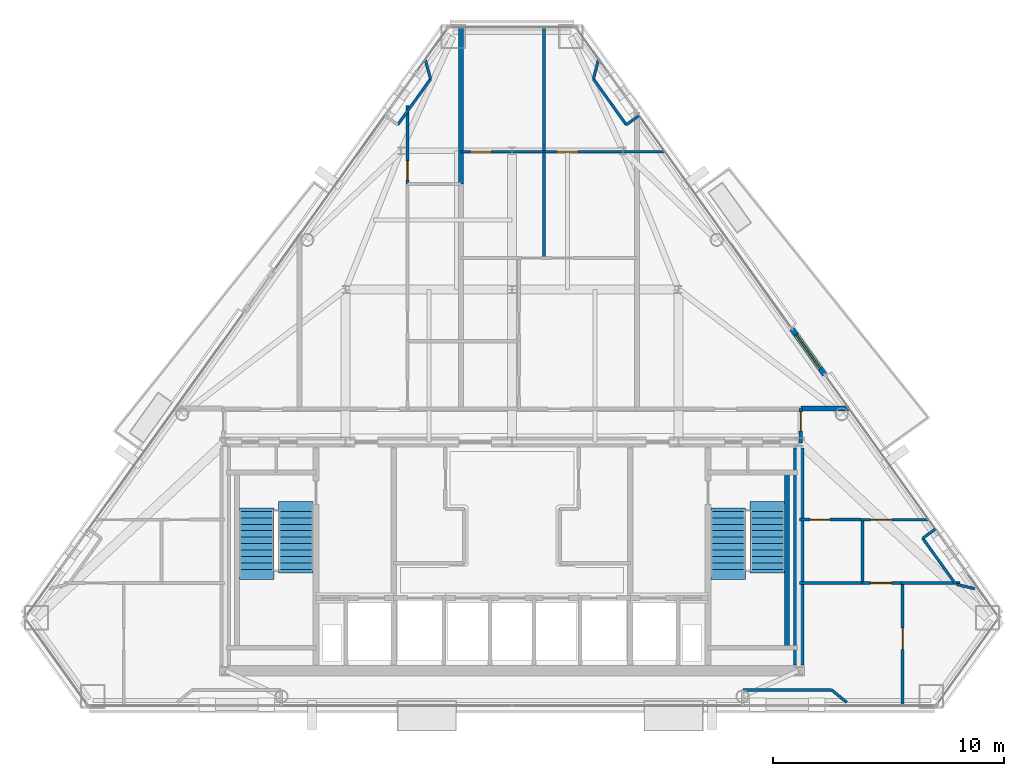
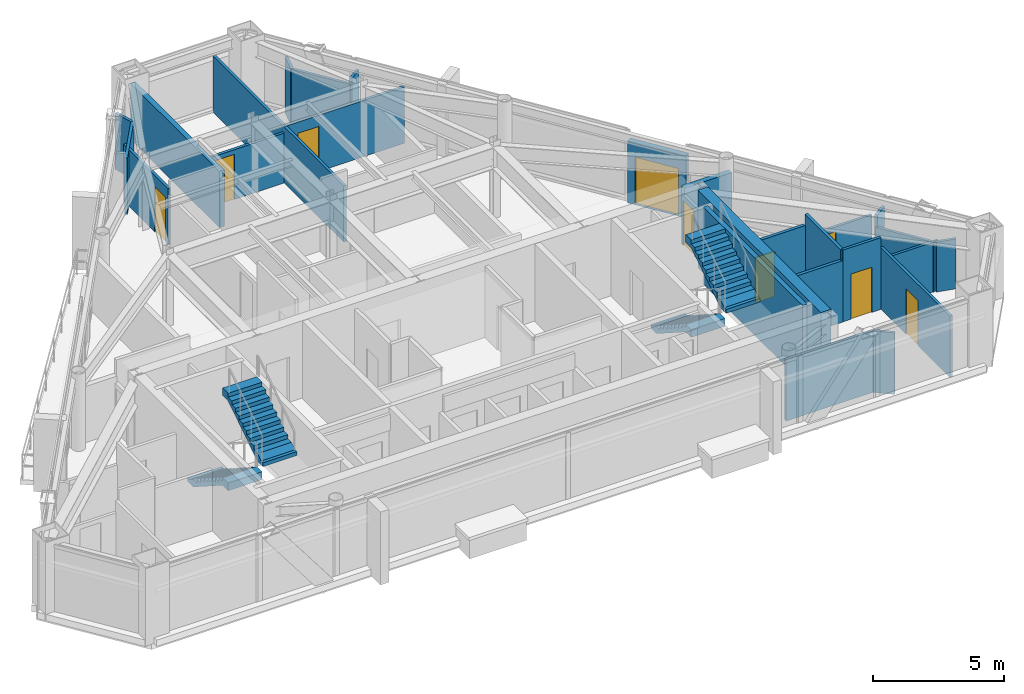
# One storey, part 9 of 11: 27 walls, 9 doors, 4 stair flights, 9 openings, 2 elements without a shape of their own.
"""IFC4 building model written with IfcOpenShell, lengths in metres."""

from ifc_helpers import new_model, si_unit, direction, frame, frame_2d, origin, place, context, subcontext, project, spatial, polyline, rectangle, outline, extrude, material, layer, layer_set, type_object, element, fill, aggregate, save


model = new_model("IFC4")

# Units and contexts
model_context = context("Model", 3, precision=1e-05, world=origin(), true_north=direction((0.0, 1.0)))
body_context = subcontext(model_context, "Body", "Model", "MODEL_VIEW")
ifc_project = project(units=[si_unit("LENGTHUNIT", "METRE"), si_unit("AREAUNIT", "SQUARE_METRE"), si_unit("VOLUMEUNIT", "CUBIC_METRE"), si_unit("PLANEANGLEUNIT", "RADIAN"), si_unit("MASSUNIT", "GRAM", prefix="KILO")], contexts=[model_context])

# Site, building, storey
site_placement = place(None, origin())
site = spatial("IfcSite", under=ifc_project, at=site_placement, CompositionType="ELEMENT")
building_placement = place(site_placement, origin())
building = spatial("IfcBuilding", under=site, at=building_placement, Name="Talgorran Terracotta Tower", CompositionType="ELEMENT")
storey_placement = place(building_placement, frame((0.0, 0.0, 237.0)))
storey = spatial("IfcBuildingStorey", under=building, at=storey_placement, Name="L62", CompositionType="ELEMENT", Elevation=237.0)

# Wall, opening, door
ifc_material_1 = material(Name="Concrete C40/50", Category="concrete")
ifc_layer_1 = layer(ifc_material_1, 0.239990234375, Name="WT_BALCONY_SPAND")
ifc_layer_set_1 = layer_set([ifc_layer_1], Name="Concrete C40/50")
wall_type_1 = type_object("IfcWallType", Name="WT_BALCONY_SPAND", PredefinedType="STANDARD", material=ifc_layer_set_1)
wall_1_placement = place(storey_placement, frame((13.5322265625, -1.28662109375, -0.014892578125), z_axis=(0.0, 0.0, 1.0), x_axis=(-0.582666574714, 0.812711303423, 0.0)))
wall_1 = element("IfcWall", 1, at=wall_1_placement, inside=storey, type_object=wall_type_1, Name="WL-L62-BALP-BAL-NE", PredefinedType="STANDARD", context=body_context, shape_type="SweptSolid", body=[
    extrude(rectangle(XDim=2.43994140625, YDim=0.239990234375, at=frame_2d((1.219970703125, 0.0))), origin(), (0.0, 0.0, 1.0), 2.8779296875),
])
opening_1_placement = place(wall_1_placement, frame((0.320068359375, 0.0, 0.014892578125)))
opening_1 = element("IfcOpeningElement", 2, at=opening_1_placement, cuts=wall_1, Name="Opening D-BAL-L62-1", PredefinedType="OPENING", context=body_context, shape_type="SweptSolid", body=[
    extrude(rectangle(XDim=1.806048828125, YDim=2.203951171875, at=frame_2d((0.89990234375, 1.10205078125))), frame((0.0, 0.1298828125, 0.0), z_axis=(0.0, -1.0, 0.0), x_axis=(1.0, 0.0, 0.0)), (0.0, 0.0, 1.0), 0.260009765625),
])
ifc_material_2 = material(Name="Thermally Broken Aluminium", Category="aluminium")
door_type_1 = type_object("IfcDoorType", Name="DT_BALC_1800", OperationType="SLIDING_TO_LEFT", PredefinedType="DOOR", material=ifc_material_2)
door_1_placement = place(opening_1_placement, origin())
door_1 = element("IfcDoor", 3, at=door_1_placement, inside=storey, type_object=door_type_1, Name="DR-L62-BAL-BAL-NE", OperationType="SLIDING_TO_LEFT", OverallHeight=2.199951171875, OverallWidth=1.800048828125, PredefinedType="DOOR", context=body_context, shape_type="SweptSolid", body=[
    extrude(rectangle(XDim=1.800048828125, YDim=2.199951171875, at=frame_2d((0.89990234375, 1.10009765625))), frame((0.0, 0.02490234375, 0.0), z_axis=(0.0, -1.0, 0.0), x_axis=(1.0, 0.0, 0.0)), (0.0, 0.0, 1.0), 0.050048828125),
])
fill(opening_1, door_1)

# Walls
ifc_material_3 = material(Name="Concrete C50/60", Category="concrete")
ifc_layer_2 = layer(ifc_material_3, 0.199951171875, Name="WT_CORE_200")
ifc_layer_set_2 = layer_set([ifc_layer_2], Name="Concrete C50/60")
wall_type_2 = type_object("IfcWallType", Name="WT_CORE_200", PredefinedType="SOLIDWALL", material=ifc_layer_set_2)
wall_2_placement = place(storey_placement, frame((11.89990234375, -13.10009765625, 0.0), z_axis=(0.0, 0.0, 1.0), x_axis=(0.0, 1.0, 0.0)))
element("IfcWall", 4, at=wall_2_placement, inside=storey, type_object=wall_type_2, Name="WL-L62-CW-ST2-E", PredefinedType="SOLIDWALL", context=body_context, shape_type="SweptSolid", body=[
    extrude(rectangle(XDim=7.580078125, YDim=0.199951171875, at=frame_2d((3.7900390625, 0.0))), origin(), (0.0, 0.0, 1.0), 3.60009765625),
])
ifc_material_4 = material(Name="Concrete C65/80", Category="concrete")
ifc_layer_3 = layer(ifc_material_4, 0.449951171875, Name="WT_CORE_EXT")
ifc_layer_set_3 = layer_set([ifc_layer_3], Name="Concrete C65/80")
wall_type_3 = type_object("IfcWallType", Name="WT_CORE_EXT", PredefinedType="SHEAR", material=ifc_layer_set_3)
wall_3_placement = place(storey_placement, frame((12.39990234375, -13.85009765625, 0.0), z_axis=(0.0, 0.0, 1.0), x_axis=(0.0, 1.0, 0.0)))
element("IfcWall", 5, at=wall_3_placement, inside=storey, type_object=wall_type_3, Name="WL-L62-CW-OUT-E", PredefinedType="SHEAR", context=body_context, shape_type="SweptSolid", body=[
    extrude(rectangle(XDim=9.400146484375, YDim=0.449951171875, at=frame_2d((4.7001953125, 0.0))), origin(), (0.0, 0.0, 1.0), 3.60009765625),
])

# Wall, opening, door
ifc_material_5 = material(Name="Fire-Rated Steel Stud Plasterboard", Category="steel")
ifc_layer_4 = layer(ifc_material_5, 0.14990234375, Name="WT_FIRE_150")
ifc_layer_set_4 = layer_set([ifc_layer_4], Name="Fire-Rated Steel Stud Plasterboard")
wall_type_4 = type_object("IfcWallType", Name="WT_FIRE_150", PredefinedType="PARTITIONING", material=ifc_layer_set_4)
wall_4_placement = place(storey_placement, frame((12.5, -4.239990234375, 0.0), z_axis=(0.0, 0.0, 1.0), x_axis=(0.0, 1.0, 0.0)))
wall_4 = element("IfcWall", 6, at=wall_4_placement, inside=storey, type_object=wall_type_4, Name="WL-L62-W-L62-R02", PredefinedType="PARTITIONING", context=body_context, shape_type="SweptSolid", body=[
    extrude(rectangle(XDim=1.47998046875, YDim=0.14990234375, at=frame_2d((0.739990234375, 0.0))), origin(), (0.0, 0.0, 1.0), 2.320068359375),
])
opening_2_placement = place(wall_4_placement, frame((0.521728515625, 0.0, 0.0)))
opening_2 = element("IfcOpeningElement", 7, at=opening_2_placement, cuts=wall_4, Name="Opening DR-L62-R06", PredefinedType="OPENING", context=body_context, shape_type="SweptSolid", body=[
    extrude(rectangle(XDim=0.826068359375, YDim=2.10409765625, at=frame_2d((0.41015625, 1.052001953125))), frame((0.0, 0.0849609375, 0.0), z_axis=(0.0, -1.0, 0.0), x_axis=(1.0, 0.0, 0.0)), (0.0, 0.0, 1.0), 0.169921875),
])
ifc_material_6 = material(Name="Moisture-Resistant Solid Timber", Category="wood")
door_type_2 = type_object("IfcDoorType", Name="DT_INT_820", OperationType="NOTDEFINED", PredefinedType="DOOR", material=ifc_material_6)
door_2_placement = place(opening_2_placement, origin())
door_2 = element("IfcDoor", 8, at=door_2_placement, inside=storey, type_object=door_type_2, Name="DR-L62-R06", OperationType="SINGLE_SWING_RIGHT", OverallHeight=2.10009765625, OverallWidth=0.820068359375, PredefinedType="DOOR", context=body_context, shape_type="SweptSolid", body=[
    extrude(rectangle(XDim=0.820068359375, YDim=2.10009765625, at=frame_2d((0.41015625, 1.050048828125))), frame((0.0, 0.02490234375, 0.0), z_axis=(0.0, -1.0, 0.0), x_axis=(1.0, 0.0, 0.0)), (0.0, 0.0, 1.0), 0.050048828125),
])
fill(opening_2, door_2)

# Walls
ifc_material_7 = material(Name="Acoustic Masonry and Plasterboard", Category="masonry")
ifc_layer_5 = layer(ifc_material_7, 0.219970703125, Name="WT_PARTY_220")
ifc_layer_set_5 = layer_set([ifc_layer_5], Name="Acoustic Masonry and Plasterboard")
wall_type_5 = type_object("IfcWallType", Name="WT_PARTY_220", PredefinedType="PARTITIONING", material=ifc_layer_set_5)
wall_5_placement = place(storey_placement, frame((-2.199951171875, 6.9599609375, 0.0), z_axis=(0.0, 0.0, 1.0), x_axis=(0.0, 1.0, 0.0)))
element("IfcWall", 9, at=wall_5_placement, inside=storey, type_object=wall_type_5, Name="WL-L62-W-L62-R35", PredefinedType="PARTITIONING", context=body_context, shape_type="SweptSolid", body=[
    extrude(rectangle(XDim=6.78857421875, YDim=0.219970703125, at=frame_2d((3.394287109375, 0.0))), origin(), (0.0, 0.0, 1.0), 2.6201171875),
])
wall_6_placement = place(storey_placement, frame((12.5, -2.760009765625, 0.0), z_axis=(0.0, 0.0, 1.0), x_axis=(1.0, 0.0, 0.0)))
element("IfcWall", 10, at=wall_6_placement, inside=storey, type_object=wall_type_5, Name="WL-L62-W-L62-R19", PredefinedType="PARTITIONING", context=body_context, shape_type="SweptSolid", body=[
    extrude(rectangle(XDim=2.08837890625, YDim=0.219970703125, at=frame_2d((1.044189453125, 0.0))), origin(), (0.0, 0.0, 1.0), 2.6201171875),
])
ifc_material_8 = material(Name="Insulated Steel Stud Plasterboard", Category="steel")
ifc_layer_6 = layer(ifc_material_8, 0.1201171875, Name="WT_PART_120")
ifc_layer_set_6 = layer_set([ifc_layer_6], Name="Insulated Steel Stud Plasterboard")
wall_type_6 = type_object("IfcWallType", Name="WT_PART_120", PredefinedType="PARTITIONING", material=ifc_layer_set_6)
wall_7_placement = place(storey_placement, frame((1.3798828125, 3.760009765625, 0.0), z_axis=(0.0, 0.0, 1.0), x_axis=(0.0, 1.0, 0.0)))
element("IfcWall", 11, at=wall_7_placement, inside=storey, type_object=wall_type_6, Name="WL-L62-W-L62-R45", PredefinedType="PARTITIONING", context=body_context, shape_type="SweptSolid", body=[
    extrude(rectangle(XDim=9.988525390625, YDim=0.1201171875, at=frame_2d((4.994140625, 0.0))), origin(), (0.0, 0.0, 1.0), 2.6201171875),
])

# Wall, opening, door
wall_8_placement = place(storey_placement, frame((16.89990234375, -15.60791015625, 0.0), z_axis=(0.0, 0.0, 1.0), x_axis=(0.0, 1.0, 0.0)))
wall_8 = element("IfcWall", 12, at=wall_8_placement, inside=storey, type_object=wall_type_6, Name="WL-L62-W-L62-R24", PredefinedType="PARTITIONING", context=body_context, shape_type="SweptSolid", body=[
    extrude(rectangle(XDim=5.307861328125, YDim=0.1201171875, at=frame_2d((2.65380859375, 0.0))), origin(), (0.0, 0.0, 1.0), 2.863037109375),
])
opening_3_placement = place(wall_8_placement, frame((2.44189453125, 0.0, 0.0)))
opening_3 = element("IfcOpeningElement", 13, at=opening_3_placement, cuts=wall_8, Name="Opening DR-L62-R10", PredefinedType="OPENING", context=body_context, shape_type="SweptSolid", body=[
    extrude(rectangle(XDim=0.925921875, YDim=2.10409765625, at=frame_2d((0.4599609375, 1.052001953125))), frame((0.0, 0.070068359375, 0.0), z_axis=(0.0, -1.0, 0.0), x_axis=(1.0, 0.0, 0.0)), (0.0, 0.0, 1.0), 0.14013671875),
])
ifc_material_9 = material(Name="Solid-Core Painted Timber", Category="wood")
door_type_3 = type_object("IfcDoorType", Name="DT_INT_920", OperationType="NOTDEFINED", PredefinedType="DOOR", material=ifc_material_9)
door_3_placement = place(opening_3_placement, origin())
door_3 = element("IfcDoor", 14, at=door_3_placement, inside=storey, type_object=door_type_3, Name="DR-L62-R10", OperationType="SINGLE_SWING_RIGHT", OverallHeight=2.10009765625, OverallWidth=0.919921875, PredefinedType="DOOR", context=body_context, shape_type="SweptSolid", body=[
    extrude(rectangle(XDim=0.919921875, YDim=2.10009765625, at=frame_2d((0.4599609375, 1.050048828125))), frame((0.0, 0.02490234375, 0.0), z_axis=(0.0, -1.0, 0.0), x_axis=(1.0, 0.0, 0.0)), (0.0, 0.0, 1.0), 0.050048828125),
])
fill(opening_3, door_3)

wall_9_placement = place(storey_placement, frame((1.3798828125, 8.360107421875, 0.0), z_axis=(0.0, 0.0, 1.0), x_axis=(1.0, 0.0, 0.0)))
wall_9 = element("IfcWall", 15, at=wall_9_placement, inside=storey, type_object=wall_type_6, Name="WL-L62-W-L62-R46", PredefinedType="PARTITIONING", context=body_context, shape_type="SweptSolid", body=[
    extrude(rectangle(XDim=5.236328125, YDim=0.1201171875, at=frame_2d((2.6181640625, 0.0))), origin(), (0.0, 0.0, 1.0), 2.6201171875),
])
opening_4_placement = place(wall_9_placement, frame((0.556884765625, 0.0, 0.0)))
opening_4 = element("IfcOpeningElement", 16, at=opening_4_placement, cuts=wall_9, Name="Opening DR-L62-R22", PredefinedType="OPENING", context=body_context, shape_type="SweptSolid", body=[
    extrude(rectangle(XDim=0.925921875, YDim=2.10409765625, at=frame_2d((0.4599609375, 1.052001953125))), frame((0.0, 0.070068359375, 0.0), z_axis=(0.0, -1.0, 0.0), x_axis=(1.0, 0.0, 0.0)), (0.0, 0.0, 1.0), 0.14013671875),
])
door_4_placement = place(opening_4_placement, origin())
door_4 = element("IfcDoor", 17, at=door_4_placement, inside=storey, type_object=door_type_3, Name="DR-L62-R22", OperationType="SINGLE_SWING_RIGHT", OverallHeight=2.10009765625, OverallWidth=0.919921875, PredefinedType="DOOR", context=body_context, shape_type="SweptSolid", body=[
    extrude(rectangle(XDim=0.919921875, YDim=2.10009765625, at=frame_2d((0.4599609375, 1.050048828125))), frame((0.0, 0.02490234375, 0.0), z_axis=(0.0, -1.0, 0.0), x_axis=(1.0, 0.0, 0.0)), (0.0, 0.0, 1.0), 0.050048828125),
])
fill(opening_4, door_4)

# Wall
wall_10_placement = place(storey_placement, frame((9.98681640625, -14.927734375, 0.0), z_axis=(0.0, 0.0, 1.0), x_axis=(1.0, 0.0, 0.0)))
element("IfcWall", 18, at=wall_10_placement, inside=storey, type_object=wall_type_6, Name="WL-L62-BW-L62-06", PredefinedType="PARTITIONING", context=body_context, shape_type="SweptSolid", body=[
    extrude(rectangle(XDim=3.844970703125, YDim=0.1201171875, at=frame_2d((1.92236328125, 0.0))), origin(), (0.0, 0.0, 1.0), 2.863037109375),
])

# Wall, opening, door
wall_11_placement = place(storey_placement, frame((-2.199951171875, 8.360107421875, 0.0), z_axis=(0.0, 0.0, 1.0), x_axis=(1.0, 0.0, 0.0)))
wall_11 = element("IfcWall", 19, at=wall_11_placement, inside=storey, type_object=wall_type_6, Name="WL-L62-W-L62-R43", PredefinedType="PARTITIONING", context=body_context, shape_type="SweptSolid", body=[
    extrude(rectangle(XDim=3.579833984375, YDim=0.1201171875, at=frame_2d((1.7900390625, 0.0))), origin(), (0.0, 0.0, 1.0), 2.320068359375),
])
opening_5_placement = place(wall_11_placement, frame((0.397705078125, 0.0, 0.0)))
opening_5 = element("IfcOpeningElement", 20, at=opening_5_placement, cuts=wall_11, Name="Opening DR-L62-R20", PredefinedType="OPENING", context=body_context, shape_type="SweptSolid", body=[
    extrude(rectangle(XDim=0.925921875, YDim=2.10409765625, at=frame_2d((0.4599609375, 1.052001953125))), frame((0.0, 0.070068359375, 0.0), z_axis=(0.0, -1.0, 0.0), x_axis=(1.0, 0.0, 0.0)), (0.0, 0.0, 1.0), 0.14013671875),
])
door_5_placement = place(opening_5_placement, origin())
door_5 = element("IfcDoor", 21, at=door_5_placement, inside=storey, type_object=door_type_3, Name="DR-L62-R20", OperationType="SINGLE_SWING_RIGHT", OverallHeight=2.10009765625, OverallWidth=0.919921875, PredefinedType="DOOR", context=body_context, shape_type="SweptSolid", body=[
    extrude(rectangle(XDim=0.919921875, YDim=2.10009765625, at=frame_2d((0.4599609375, 1.050048828125))), frame((0.0, 0.02490234375, 0.0), z_axis=(0.0, -1.0, 0.0), x_axis=(1.0, 0.0, 0.0)), (0.0, 0.0, 1.0), 0.050048828125),
])
fill(opening_5, door_5)

wall_12_placement = place(storey_placement, frame((-4.52001953125, 6.9599609375, 0.0), z_axis=(0.0, 0.0, 1.0), x_axis=(0.0, 1.0, 0.0)))
wall_12 = element("IfcWall", 22, at=wall_12_placement, inside=storey, type_object=wall_type_6, Name="WL-L62-W-L62-R33", PredefinedType="PARTITIONING", context=body_context, shape_type="SweptSolid", body=[
    extrude(rectangle(XDim=3.400146484375, YDim=0.1201171875, at=frame_2d((1.7001953125, 0.0))), origin(), (0.0, 0.0, 1.0), 2.6201171875),
])
opening_6_placement = place(wall_12_placement, frame((0.1796875, 0.0, 0.0)))
opening_6 = element("IfcOpeningElement", 23, at=opening_6_placement, cuts=wall_12, Name="Opening DR-L62-R14", PredefinedType="OPENING", context=body_context, shape_type="SweptSolid", body=[
    extrude(rectangle(XDim=0.826068359375, YDim=2.10409765625, at=frame_2d((0.41015625, 1.052001953125))), frame((0.0, 0.070068359375, 0.0), z_axis=(0.0, -1.0, 0.0), x_axis=(1.0, 0.0, 0.0)), (0.0, 0.0, 1.0), 0.14013671875),
])
door_6_placement = place(opening_6_placement, origin())
door_6 = element("IfcDoor", 24, at=door_6_placement, inside=storey, type_object=door_type_2, Name="DR-L62-R14", OperationType="SINGLE_SWING_RIGHT", OverallHeight=2.10009765625, OverallWidth=0.820068359375, PredefinedType="DOOR", context=body_context, shape_type="SweptSolid", body=[
    extrude(rectangle(XDim=0.820068359375, YDim=2.10009765625, at=frame_2d((0.41015625, 1.050048828125))), frame((0.0, 0.02490234375, 0.0), z_axis=(0.0, -1.0, 0.0), x_axis=(1.0, 0.0, 0.0)), (0.0, 0.0, 1.0), 0.050048828125),
])
fill(opening_6, door_6)

wall_13_placement = place(storey_placement, frame((15.080078125, -7.56005859375, 0.0), z_axis=(0.0, 0.0, 1.0), x_axis=(1.0, 0.0, 0.0)))
wall_13 = element("IfcWall", 25, at=wall_13_placement, inside=storey, type_object=wall_type_6, Name="WL-L62-W-L62-R18", PredefinedType="PARTITIONING", context=body_context, shape_type="SweptSolid", body=[
    extrude(rectangle(XDim=2.94970703125, YDim=0.1201171875, at=frame_2d((1.474853515625, 0.0))), origin(), (0.0, 0.0, 1.0), 2.320068359375),
])
opening_7_placement = place(wall_13_placement, frame((0.434814453125, 0.0, 0.0)))
opening_7 = element("IfcOpeningElement", 26, at=opening_7_placement, cuts=wall_13, Name="Opening DR-L62-R08", PredefinedType="OPENING", context=body_context, shape_type="SweptSolid", body=[
    extrude(rectangle(XDim=0.925921875, YDim=2.10409765625, at=frame_2d((0.4599609375, 1.052001953125))), frame((0.0, 0.070068359375, 0.0), z_axis=(0.0, -1.0, 0.0), x_axis=(1.0, 0.0, 0.0)), (0.0, 0.0, 1.0), 0.14013671875),
])
door_7_placement = place(opening_7_placement, origin())
door_7 = element("IfcDoor", 27, at=door_7_placement, inside=storey, type_object=door_type_3, Name="DR-L62-R08", OperationType="SINGLE_SWING_RIGHT", OverallHeight=2.10009765625, OverallWidth=0.919921875, PredefinedType="DOOR", context=body_context, shape_type="SweptSolid", body=[
    extrude(rectangle(XDim=0.919921875, YDim=2.10009765625, at=frame_2d((0.4599609375, 1.050048828125))), frame((0.0, 0.02490234375, 0.0), z_axis=(0.0, -1.0, 0.0), x_axis=(1.0, 0.0, 0.0)), (0.0, 0.0, 1.0), 0.050048828125),
])
fill(opening_7, door_7)

# Walls
wall_14_placement = place(storey_placement, frame((16.840087890625, -10.300048828125, 0.0), z_axis=(0.0, 0.0, 1.0), x_axis=(1.0, 0.0, 0.0)))
element("IfcWall", 28, at=wall_14_placement, inside=storey, type_object=wall_type_6, Name="WL-L62-W-L62-R23", PredefinedType="PARTITIONING", context=body_context, shape_type="SweptSolid", body=[
    extrude(rectangle(XDim=2.539794921875, YDim=0.1201171875, at=frame_2d((1.27001953125, 0.0))), origin(), (0.0, 0.0, 1.0), 2.320068359375),
])
for number, where, z_axis, x_axis, name in (
    (29, (-3.52197265625, 11.5087890625, 0.0), (0.0, 0.0, 1.0), (-0.58269400411, -0.812691637446, 0.0), "WL-L62-BW-L62-14"),
    (30, (4.944580078125, 9.524658203125, 0.0), (0.0, 0.0, 1.0), (-0.58269400411, 0.812691637446, 0.0), "WL-L62-BW-L62-17"),
):
    element("IfcWall", number, at=place(storey_placement, frame(where, z_axis=z_axis, x_axis=x_axis)), inside=storey, type_object=wall_type_6, Name=name, PredefinedType="PARTITIONING", context=body_context, shape_type="SweptSolid", body=[
        extrude(rectangle(XDim=2.44140625, YDim=0.1201171875, at=frame_2d((1.220703125, 0.0))), origin(), (0.0, 0.0, 1.0), 2.6201171875),
    ])
wall_15_placement = place(storey_placement, frame((19.192138671875, -10.347900390625, 0.0), z_axis=(0.0, 0.0, 1.0), x_axis=(-0.582741361536, 0.812657680426, 0.0)))
element("IfcWall", 31, at=wall_15_placement, inside=storey, type_object=wall_type_6, Name="WL-L62-BW-L62-12", PredefinedType="PARTITIONING", context=body_context, shape_type="SweptSolid", body=[
    extrude(rectangle(XDim=2.441162109375, YDim=0.1201171875, at=frame_2d((1.220703125, 0.0))), origin(), (0.0, 0.0, 1.0), 2.320068359375),
])

# Wall, opening, door
wall_16_placement = place(storey_placement, frame((15.159912109375, -10.300048828125, 0.0), z_axis=(0.0, 0.0, 1.0), x_axis=(1.0, 0.0, 0.0)))
wall_16 = element("IfcWall", 32, at=wall_16_placement, inside=storey, type_object=wall_type_6, Name="WL-L62-W-L62-R22", PredefinedType="PARTITIONING", context=body_context, shape_type="SweptSolid", body=[
    extrude(rectangle(XDim=1.677978515625, YDim=0.1201171875, at=frame_2d((0.8388671875, 0.0))), origin(), (0.0, 0.0, 1.0), 3.344970703125),
])
opening_8_placement = place(wall_16_placement, frame((0.345947265625, 0.0, 0.0)))
opening_8 = element("IfcOpeningElement", 33, at=opening_8_placement, cuts=wall_16, Name="Opening DR-L62-R09", PredefinedType="OPENING", context=body_context, shape_type="SweptSolid", body=[
    extrude(rectangle(XDim=0.925921875, YDim=2.10409765625, at=frame_2d((0.4599609375, 1.052001953125))), frame((0.0, 0.070068359375, 0.0), z_axis=(0.0, -1.0, 0.0), x_axis=(1.0, 0.0, 0.0)), (0.0, 0.0, 1.0), 0.14013671875),
])
door_8_placement = place(opening_8_placement, origin())
door_8 = element("IfcDoor", 34, at=door_8_placement, inside=storey, type_object=door_type_3, Name="DR-L62-R09", OperationType="SINGLE_SWING_LEFT", OverallHeight=2.10009765625, OverallWidth=0.919921875, PredefinedType="DOOR", context=body_context, shape_type="SweptSolid", body=[
    extrude(rectangle(XDim=0.919921875, YDim=2.10009765625, at=frame_2d((0.4599609375, 1.050048828125))), frame((0.0, 0.02490234375, 0.0), z_axis=(0.0, -1.0, 0.0), x_axis=(1.0, 0.0, 0.0)), (0.0, 0.0, 1.0), 0.050048828125),
])
fill(opening_8, door_8)

# Walls
wall_17_placement = place(storey_placement, frame((-3.751953125, 12.337890625, 0.0), z_axis=(0.0, 0.0, 1.0), x_axis=(0.267292613762, -0.963615410124, 0.0)))
element("IfcWall", 35, at=wall_17_placement, inside=storey, type_object=wall_type_6, Name="WL-L62-BW-L62-13", PredefinedType="PARTITIONING", context=body_context, shape_type="SweptSolid", body=[
    extrude(rectangle(XDim=0.8603515625, YDim=0.1201171875, at=frame_2d((0.43017578125, 0.0))), origin(), (0.0, 0.0, 1.0), 2.6201171875),
])
wall_18_placement = place(storey_placement, frame((13.831787109375, -14.927734375, 0.0), z_axis=(0.0, 0.0, 1.0), x_axis=(0.769534733406, -0.638604959331, 0.0)))
element("IfcWall", 36, at=wall_18_placement, inside=storey, type_object=wall_type_6, Name="WL-L62-BW-L62-04", PredefinedType="PARTITIONING", context=body_context, shape_type="SweptSolid", body=[
    extrude(rectangle(XDim=0.85205078125, YDim=0.1201171875, at=frame_2d((0.426025390625, 0.0))), origin(), (0.0, 0.0, 1.0), 2.863037109375),
])
wall_19_placement = place(storey_placement, frame((20.019287109375, -10.55029296875, 0.0), z_axis=(0.0, 0.0, 1.0), x_axis=(-0.971380053394, 0.237530612486, 0.0)))
element("IfcWall", 37, at=wall_19_placement, inside=storey, type_object=wall_type_6, Name="WL-L62-BW-L62-11", PredefinedType="PARTITIONING", context=body_context, shape_type="SweptSolid", body=[
    extrude(rectangle(XDim=0.79248046875, YDim=0.1201171875, at=frame_2d((0.396240234375, 0.0))), origin(), (0.0, 0.0, 1.0), 2.320068359375),
])
wall_20_placement = place(storey_placement, frame((3.52197265625, 11.5087890625, 0.0), z_axis=(0.0, 0.0, 1.0), x_axis=(0.25459264373, 0.96704838853, 0.0)))
element("IfcWall", 38, at=wall_20_placement, inside=storey, type_object=wall_type_6, Name="WL-L62-BW-L62-18", PredefinedType="PARTITIONING", context=body_context, shape_type="SweptSolid", body=[
    extrude(rectangle(XDim=0.8466796875, YDim=0.1201171875, at=frame_2d((0.42333984375, 0.0))), origin(), (0.0, 0.0, 1.0), 2.6201171875),
])
wall_21_placement = place(storey_placement, frame((17.76953125, -8.364013671875, 0.0), z_axis=(0.0, 0.0, 1.0), x_axis=(0.81250073396, 0.582960167863, 0.0)))
element("IfcWall", 39, at=wall_21_placement, inside=storey, type_object=wall_type_6, Name="WL-L62-BW-L62-10", PredefinedType="PARTITIONING", context=body_context, shape_type="SweptSolid", body=[
    extrude(rectangle(XDim=0.670166015625, YDim=0.1201171875, at=frame_2d((0.3349609375, 0.0))), origin(), (0.0, 0.0, 1.0), 2.863037109375),
])
wall_22_placement = place(storey_placement, frame((5.489013671875, 9.9150390625, 0.0), z_axis=(0.0, 0.0, 1.0), x_axis=(-0.812673311452, -0.582719562786, 0.0)))
element("IfcWall", 40, at=wall_22_placement, inside=storey, type_object=wall_type_6, Name="WL-L62-BW-L62-16", PredefinedType="PARTITIONING", context=body_context, shape_type="SweptSolid", body=[
    extrude(rectangle(XDim=0.669921875, YDim=0.1201171875, at=frame_2d((0.3349609375, 0.0))), origin(), (0.0, 0.0, 1.0), 2.863037109375),
])

# Wall, opening, door
ifc_material_10 = material(Name="Moisture-Resistant Stud Wall")
ifc_layer_7 = layer(ifc_material_10, 0.135009765625, Name="WT_PART_135")
ifc_layer_set_7 = layer_set([ifc_layer_7], Name="Moisture-Resistant Stud Wall")
wall_type_7 = type_object("IfcWallType", Name="WT_PART_135", PredefinedType="PARTITIONING", material=ifc_layer_set_7)
wall_23_placement = place(storey_placement, frame((12.43994140625, -7.56005859375, 0.0), z_axis=(0.0, 0.0, 1.0), x_axis=(1.0, 0.0, 0.0)))
wall_23 = element("IfcWall", 41, at=wall_23_placement, inside=storey, type_object=wall_type_7, Name="WL-L62-W-L62-R17", PredefinedType="PARTITIONING", context=body_context, shape_type="SweptSolid", body=[
    extrude(rectangle(XDim=2.637939453125, YDim=0.135009765625, at=frame_2d((1.31884765625, 0.0))), origin(), (0.0, 0.0, 1.0), 2.863037109375),
])
opening_9_placement = place(wall_23_placement, frame((0.458251953125, 0.0, 0.0)))
opening_9 = element("IfcOpeningElement", 42, at=opening_9_placement, cuts=wall_23, Name="Opening DR-L62-R07", PredefinedType="OPENING", context=body_context, shape_type="SweptSolid", body=[
    extrude(rectangle(XDim=0.85609765625, YDim=2.10409765625, at=frame_2d((0.425048828125, 1.052001953125))), frame((0.0, 0.07763671875, 0.0), z_axis=(0.0, -1.0, 0.0), x_axis=(1.0, 0.0, 0.0)), (0.0, 0.0, 1.0), 0.155029296875),
])
door_type_4 = type_object("IfcDoorType", Name="DT_INT_850", OperationType="NOTDEFINED", PredefinedType="DOOR", material=ifc_material_6)
door_9_placement = place(opening_9_placement, origin())
door_9 = element("IfcDoor", 43, at=door_9_placement, inside=storey, type_object=door_type_4, Name="DR-L62-R07", OperationType="SINGLE_SWING_LEFT", OverallHeight=2.10009765625, OverallWidth=0.85009765625, PredefinedType="DOOR", context=body_context, shape_type="SweptSolid", body=[
    extrude(rectangle(XDim=0.85009765625, YDim=2.10009765625, at=frame_2d((0.425048828125, 1.050048828125))), frame((0.0, 0.02490234375, 0.0), z_axis=(0.0, -1.0, 0.0), x_axis=(1.0, 0.0, 0.0)), (0.0, 0.0, 1.0), 0.050048828125),
])
fill(opening_9, door_9)

# Walls
wall_24_placement = place(storey_placement, frame((15.159912109375, -10.300048828125, 0.0), z_axis=(0.0, 0.0, 1.0), x_axis=(0.0, 1.0, 0.0)))
element("IfcWall", 44, at=wall_24_placement, inside=storey, type_object=wall_type_7, Name="WL-L62-W-L62-R20", PredefinedType="PARTITIONING", context=body_context, shape_type="SweptSolid", body=[
    extrude(rectangle(XDim=2.739990234375, YDim=0.135009765625, at=frame_2d((1.3701171875, 0.0))), origin(), (0.0, 0.0, 1.0), 3.344970703125),
])
wall_25_placement = place(storey_placement, frame((12.43994140625, -10.300048828125, 0.0), z_axis=(0.0, 0.0, 1.0), x_axis=(1.0, 0.0, 0.0)))
element("IfcWall", 45, at=wall_25_placement, inside=storey, type_object=wall_type_7, Name="WL-L62-W-L62-R21", PredefinedType="PARTITIONING", context=body_context, shape_type="SweptSolid", body=[
    extrude(rectangle(XDim=2.719970703125, YDim=0.135009765625, at=frame_2d((1.35986328125, 0.0))), origin(), (0.0, 0.0, 1.0), 2.863037109375),
])

# Stair, stair flights
stair_type = type_object("IfcStairType", Name="ST_FIRE_SCISSOR", PredefinedType="HALF_TURN_STAIR", material=ifc_material_1)
stair_1_placement = place(storey_placement, origin())
stair_1 = element("IfcStair", 46, at=stair_1_placement, inside=storey, type_object=stair_type, Name="L62 West Protected Fire Stair ST-01", PredefinedType="HALF_TURN_STAIR")
ifc_layer_8 = layer(ifc_material_1, 0.179931640625, Name="STF_RC_1500")
ifc_layer_set_8 = layer_set([ifc_layer_8], Name="Concrete C40/50")
stair_flight_type = type_object("IfcStairFlightType", Name="STF_RC_1500", PredefinedType="STRAIGHT", material=ifc_layer_set_8)
stair_flight_1_placement = place(storey_placement, frame((-11.050048828125, -7.199951171875, 0.0), z_axis=(0.0, 0.0, 1.0), x_axis=(0.0, -1.0, 0.0)))
stair_flight_1 = element("IfcStairFlight", 47, at=stair_flight_1_placement, type_object=stair_flight_type, Name="ST-01 flight 1", NumberOfRisers=10, NumberOfTreads=9, PredefinedType="STRAIGHT", RiserHeight=0.18, TreadLength=0.28, context=body_context, shape_type="SweptSolid", body=[
    extrude(outline(polyline([(-0.139892578125, 0.0), (-0.139892578125, 0.179931640625), (0.0, 0.179931640625), (0.280029296875, 0.360107421875), (0.56005859375, 0.360107421875), (0.56005859375, 0.5400390625), (0.840087890625, 0.5400390625), (0.840087890625, 0.719970703125), (1.1201171875, 0.719970703125), (1.1201171875, 0.89990234375), (1.39990234375, 0.89990234375), (1.39990234375, 1.080078125), (1.679931640625, 1.080078125), (1.679931640625, 1.260009765625), (1.9599609375, 1.260009765625), (1.9599609375, 1.43994140625), (2.239990234375, 1.43994140625), (2.239990234375, 1.6201171875), (2.52001953125, 1.6201171875), (2.52001953125, 1.800048828125), (2.93994140625, 1.800048828125), (2.93994140625, 1.44189453125), (2.52001953125, 1.44189453125), (0.277099609375, 0.0), (-0.139892578125, 0.0)])), frame((0.0, 0.75, 0.0), z_axis=(0.0, -1.0, 0.0), x_axis=(1.0, 0.0, 0.0)), (0.0, 0.0, 1.0), 1.5),
])
stair_flight_2_placement = place(storey_placement, frame((-9.35009765625, -9.719970703125, 1.800048828125), z_axis=(0.0, 0.0, 1.0), x_axis=(0.0, 1.0, 0.0)))
stair_flight_2 = element("IfcStairFlight", 48, at=stair_flight_2_placement, type_object=stair_flight_type, Name="ST-01 flight 2", NumberOfRisers=10, NumberOfTreads=9, PredefinedType="STRAIGHT", RiserHeight=0.18, TreadLength=0.28, context=body_context, shape_type="SweptSolid", body=[
    extrude(outline(polyline([(-0.139892578125, 0.0), (-0.139892578125, 0.179931640625), (0.0, 0.179931640625), (0.280029296875, 0.360107421875), (0.56005859375, 0.360107421875), (0.56005859375, 0.5400390625), (0.840087890625, 0.5400390625), (0.840087890625, 0.719970703125), (1.1201171875, 0.719970703125), (1.1201171875, 0.89990234375), (1.39990234375, 0.89990234375), (1.39990234375, 1.080078125), (1.679931640625, 1.080078125), (1.679931640625, 1.260009765625), (1.9599609375, 1.260009765625), (1.9599609375, 1.43994140625), (2.239990234375, 1.43994140625), (2.239990234375, 1.6201171875), (2.52001953125, 1.6201171875), (2.52001953125, 1.800048828125), (2.93994140625, 1.800048828125), (2.93994140625, 1.44189453125), (2.52001953125, 1.44189453125), (0.277099609375, 0.0), (-0.139892578125, 0.0)])), frame((0.0, 0.75, 0.0), z_axis=(0.0, -1.0, 0.0), x_axis=(1.0, 0.0, 0.0)), (0.0, 0.0, 1.0), 1.5),
])
aggregate(stair_1, [stair_flight_1, stair_flight_2])

stair_2_placement = place(storey_placement, origin())
stair_2 = element("IfcStair", 49, at=stair_2_placement, inside=storey, type_object=stair_type, Name="L62 East Protected Fire Stair ST-02", PredefinedType="HALF_TURN_STAIR")
stair_flight_3_placement = place(storey_placement, frame((9.35009765625, -7.199951171875, 0.0), z_axis=(0.0, 0.0, 1.0), x_axis=(0.0, -1.0, 0.0)))
stair_flight_3 = element("IfcStairFlight", 50, at=stair_flight_3_placement, type_object=stair_flight_type, Name="ST-02 flight 1", NumberOfRisers=10, NumberOfTreads=9, PredefinedType="STRAIGHT", RiserHeight=0.18, TreadLength=0.28, context=body_context, shape_type="SweptSolid", body=[
    extrude(outline(polyline([(-0.139892578125, 0.0), (-0.139892578125, 0.179931640625), (0.0, 0.179931640625), (0.280029296875, 0.360107421875), (0.56005859375, 0.360107421875), (0.56005859375, 0.5400390625), (0.840087890625, 0.5400390625), (0.840087890625, 0.719970703125), (1.1201171875, 0.719970703125), (1.1201171875, 0.89990234375), (1.39990234375, 0.89990234375), (1.39990234375, 1.080078125), (1.679931640625, 1.080078125), (1.679931640625, 1.260009765625), (1.9599609375, 1.260009765625), (1.9599609375, 1.43994140625), (2.239990234375, 1.43994140625), (2.239990234375, 1.6201171875), (2.52001953125, 1.6201171875), (2.52001953125, 1.800048828125), (2.93994140625, 1.800048828125), (2.93994140625, 1.44189453125), (2.52001953125, 1.44189453125), (0.277099609375, 0.0), (-0.139892578125, 0.0)])), frame((0.0, 0.75, 0.0), z_axis=(0.0, -1.0, 0.0), x_axis=(1.0, 0.0, 0.0)), (0.0, 0.0, 1.0), 1.5),
])
stair_flight_4_placement = place(storey_placement, frame((11.050048828125, -9.719970703125, 1.800048828125), z_axis=(0.0, 0.0, 1.0), x_axis=(0.0, 1.0, 0.0)))
stair_flight_4 = element("IfcStairFlight", 51, at=stair_flight_4_placement, type_object=stair_flight_type, Name="ST-02 flight 2", NumberOfRisers=10, NumberOfTreads=9, PredefinedType="STRAIGHT", RiserHeight=0.18, TreadLength=0.28, context=body_context, shape_type="SweptSolid", body=[
    extrude(outline(polyline([(-0.139892578125, 0.0), (-0.139892578125, 0.179931640625), (0.0, 0.179931640625), (0.280029296875, 0.360107421875), (0.56005859375, 0.360107421875), (0.56005859375, 0.5400390625), (0.840087890625, 0.5400390625), (0.840087890625, 0.719970703125), (1.1201171875, 0.719970703125), (1.1201171875, 0.89990234375), (1.39990234375, 0.89990234375), (1.39990234375, 1.080078125), (1.679931640625, 1.080078125), (1.679931640625, 1.260009765625), (1.9599609375, 1.260009765625), (1.9599609375, 1.43994140625), (2.239990234375, 1.43994140625), (2.239990234375, 1.6201171875), (2.52001953125, 1.6201171875), (2.52001953125, 1.800048828125), (2.93994140625, 1.800048828125), (2.93994140625, 1.44189453125), (2.52001953125, 1.44189453125), (0.277099609375, 0.0), (-0.139892578125, 0.0)])), frame((0.0, 0.75, 0.0), z_axis=(0.0, -1.0, 0.0), x_axis=(1.0, 0.0, 0.0)), (0.0, 0.0, 1.0), 1.5),
])
aggregate(stair_2, [stair_flight_3, stair_flight_4])

save(model, "model.ifc")
